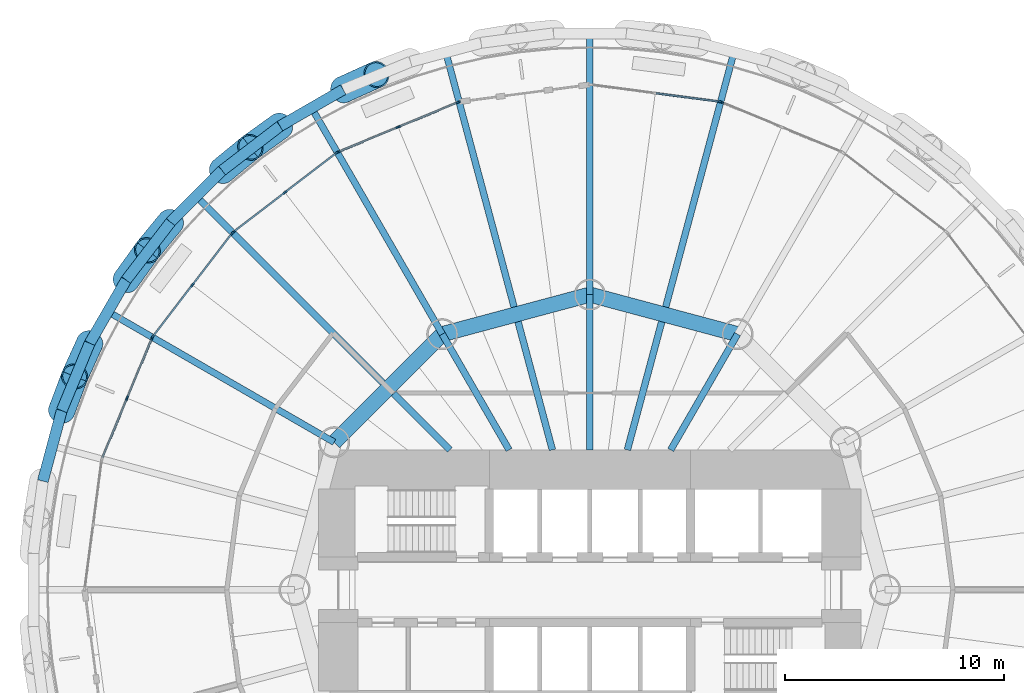
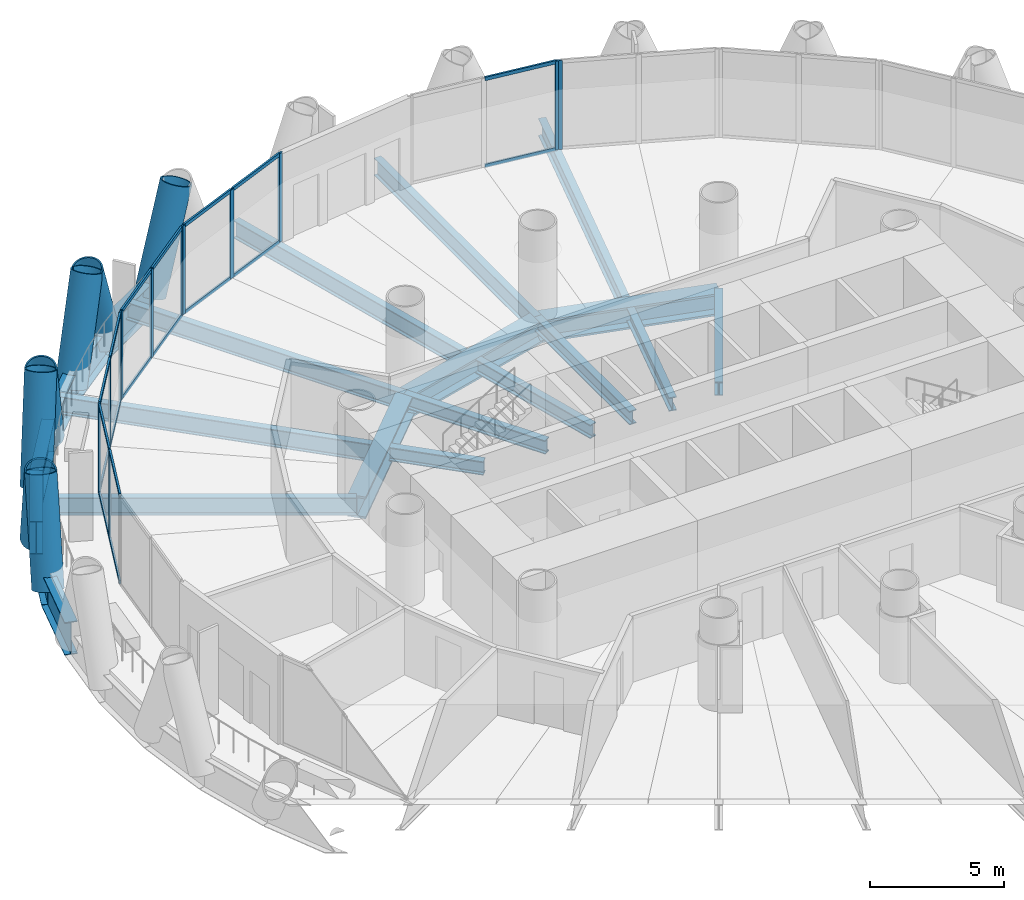
# One storey, part 6 of 16: 38 members, 22 beams, 6 elements without a shape of their own.
"""IFC4 building model written with IfcOpenShell, lengths in metres."""

from ifc_helpers import new_model, si_unit, direction, frame, origin, origin_2d, place, context, subcontext, project, spatial, rectangle, hollow_circle, i_section, extrude, material, material_profile, profile_set, type_object, element, aggregate, save


model = new_model("IFC4")

# Units and contexts
model_context = context("Model", 3, precision=1e-05, world=origin(), true_north=direction((0.0, 1.0)))
body_context = subcontext(model_context, "Body", "Model", "MODEL_VIEW")
ifc_project = project(units=[si_unit("LENGTHUNIT", "METRE"), si_unit("AREAUNIT", "SQUARE_METRE"), si_unit("VOLUMEUNIT", "CUBIC_METRE"), si_unit("PLANEANGLEUNIT", "RADIAN"), si_unit("MASSUNIT", "GRAM", prefix="KILO")], contexts=[model_context])

# Site, building, storey
site_placement = place(None, origin())
site = spatial("IfcSite", under=ifc_project, at=site_placement, CompositionType="ELEMENT")
building_placement = place(site_placement, origin())
building = spatial("IfcBuilding", under=site, at=building_placement, Name="Qaws Media Tower", CompositionType="ELEMENT")
storey_placement = place(building_placement, frame((0.0, 0.0, 80.60009765625)))
storey = spatial("IfcBuildingStorey", under=building, at=storey_placement, Name="L17", CompositionType="ELEMENT", Elevation=80.60009765625)

# Curtain wall, member
ifc_material_1 = material(Name="Aluminium and clear glass", Category="aluminium")
curtain_wall_type = type_object("IfcCurtainWallType", Name="Unitised curtain wall CW-A", PredefinedType="NOTDEFINED", material=ifc_material_1)
curtain_wall_1_placement = place(storey_placement, origin())
curtain_wall_1 = element("IfcCurtainWall", 1, at=curtain_wall_1_placement, inside=storey, type_object=curtain_wall_type, Name="CWA curtain wall L17-05", PredefinedType="NOTDEFINED")
ifc_material_2 = material(Name="Aluminium mullion", Category="aluminium")
ifc_material_profile_1 = material_profile(ifc_material_2, rectangle(XDim=0.080078125, YDim=0.199951171875, at=origin_2d()), Name="80x200")
ifc_profile_set_1 = profile_set([ifc_material_profile_1], Name="Aluminium mullion")
member_type_1 = type_object("IfcMemberType", Name="Curtain wall mullion 80x200", PredefinedType="MULLION", material=ifc_profile_set_1)
member_1_placement = place(storey_placement, frame((66.015625, 72.297607421875, 0.0), z_axis=(0.0, 0.0, 1.0), x_axis=(-0.382683469758, -0.923879517022, 0.0)))
member_1 = element("IfcMember", 2, at=member_1_placement, type_object=member_type_1, Name="CWA mullion 3", PredefinedType="MULLION", context=body_context, shape_type="SweptSolid", body=[
    extrude(rectangle(XDim=0.080078125, YDim=0.199951171875, at=origin_2d()), origin(), (0.0, 0.0, 1.0), 4.039794921875),
])
aggregate(curtain_wall_1, [member_1])

curtain_wall_2_placement = place(storey_placement, origin())
curtain_wall_2 = element("IfcCurtainWall", 3, at=curtain_wall_2_placement, inside=storey, type_object=curtain_wall_type, Name="CWA curtain wall L17-06", PredefinedType="NOTDEFINED")
member_2_placement = place(storey_placement, frame((65.93896484375, 72.318115234375, 0.0), z_axis=(0.0, 0.0, 1.0), x_axis=(-0.130526123696, -0.991444870395, 0.0)))
member_2 = element("IfcMember", 4, at=member_2_placement, type_object=member_type_1, Name="CWA mullion 1", PredefinedType="MULLION", context=body_context, shape_type="SweptSolid", body=[
    extrude(rectangle(XDim=0.080078125, YDim=0.199951171875, at=origin_2d()), origin(), (0.0, 0.0, 1.0), 4.039794921875),
])

# Curtain wall, members
curtain_wall_3_placement = place(storey_placement, origin())
curtain_wall_3 = element("IfcCurtainWall", 5, at=curtain_wall_3_placement, inside=storey, type_object=curtain_wall_type, Name="CWA curtain wall L17-08", PredefinedType="NOTDEFINED")
member_3_placement = place(storey_placement, frame((53.984375, 72.297607421875, 0.0), z_axis=(0.0, 0.0, 1.0), x_axis=(0.382683469758, -0.923879517022, 0.0)))
member_3 = element("IfcMember", 6, at=member_3_placement, type_object=member_type_1, Name="CWA mullion 1", PredefinedType="MULLION", context=body_context, shape_type="SweptSolid", body=[
    extrude(rectangle(XDim=0.080078125, YDim=0.199951171875, at=origin_2d()), origin(), (0.0, 0.0, 1.0), 4.039794921875),
])
member_4_placement = place(storey_placement, frame((51.235595703125, 71.158935546875, 0.0), z_axis=(0.0, 0.0, 1.0), x_axis=(0.382683469758, -0.923879517022, 0.0)))
member_4 = element("IfcMember", 7, at=member_4_placement, type_object=member_type_1, Name="CWA mullion 2", PredefinedType="MULLION", context=body_context, shape_type="SweptSolid", body=[
    extrude(rectangle(XDim=0.080078125, YDim=0.199951171875, at=origin_2d()), origin(), (0.0, 0.0, 1.0), 4.039794921875),
])
member_5_placement = place(storey_placement, frame((48.487060546875, 70.0205078125, 0.0), z_axis=(0.0, 0.0, 1.0), x_axis=(0.382683469758, -0.923879517022, 0.0)))
member_5 = element("IfcMember", 8, at=member_5_placement, type_object=member_type_1, Name="CWA mullion 3", PredefinedType="MULLION", context=body_context, shape_type="SweptSolid", body=[
    extrude(rectangle(XDim=0.080078125, YDim=0.199951171875, at=origin_2d()), origin(), (0.0, 0.0, 1.0), 4.039794921875),
])

curtain_wall_4_placement = place(storey_placement, origin())
curtain_wall_4 = element("IfcCurtainWall", 9, at=curtain_wall_4_placement, inside=storey, type_object=curtain_wall_type, Name="CWA curtain wall L17-09", PredefinedType="NOTDEFINED")
member_6_placement = place(storey_placement, frame((48.418212890625, 69.98095703125, 0.0), z_axis=(0.0, 0.0, 1.0), x_axis=(0.608761381612, -0.79335337666, 0.0)))
member_6 = element("IfcMember", 10, at=member_6_placement, type_object=member_type_1, Name="CWA mullion 1", PredefinedType="MULLION", context=body_context, shape_type="SweptSolid", body=[
    extrude(rectangle(XDim=0.080078125, YDim=0.199951171875, at=origin_2d()), origin(), (0.0, 0.0, 1.0), 4.039794921875),
])
member_7_placement = place(storey_placement, frame((46.057861328125, 68.169677734375, 0.0), z_axis=(0.0, 0.0, 1.0), x_axis=(0.608761381612, -0.79335337666, 0.0)))
member_7 = element("IfcMember", 11, at=member_7_placement, type_object=member_type_1, Name="CWA mullion 2", PredefinedType="MULLION", context=body_context, shape_type="SweptSolid", body=[
    extrude(rectangle(XDim=0.080078125, YDim=0.199951171875, at=origin_2d()), origin(), (0.0, 0.0, 1.0), 4.039794921875),
])
member_8_placement = place(storey_placement, frame((43.697509765625, 66.3583984375, 0.0), z_axis=(0.0, 0.0, 1.0), x_axis=(0.608761381612, -0.79335337666, 0.0)))
member_8 = element("IfcMember", 12, at=member_8_placement, type_object=member_type_1, Name="CWA mullion 3", PredefinedType="MULLION", context=body_context, shape_type="SweptSolid", body=[
    extrude(rectangle(XDim=0.080078125, YDim=0.199951171875, at=origin_2d()), origin(), (0.0, 0.0, 1.0), 4.039794921875),
])

curtain_wall_5_placement = place(storey_placement, origin())
curtain_wall_5 = element("IfcCurtainWall", 13, at=curtain_wall_5_placement, inside=storey, type_object=curtain_wall_type, Name="CWA curtain wall L17-10", PredefinedType="NOTDEFINED")
member_9_placement = place(storey_placement, frame((43.6416015625, 66.302490234375, 0.0), z_axis=(0.0, 0.0, 1.0), x_axis=(0.79335337666, -0.608761381612, 0.0)))
member_9 = element("IfcMember", 14, at=member_9_placement, type_object=member_type_1, Name="CWA mullion 1", PredefinedType="MULLION", context=body_context, shape_type="SweptSolid", body=[
    extrude(rectangle(XDim=0.080078125, YDim=0.199951171875, at=origin_2d()), origin(), (0.0, 0.0, 1.0), 4.039794921875),
])
member_10_placement = place(storey_placement, frame((41.830322265625, 63.942138671875, 0.0), z_axis=(0.0, 0.0, 1.0), x_axis=(0.79335337666, -0.608761381612, 0.0)))
member_10 = element("IfcMember", 15, at=member_10_placement, type_object=member_type_1, Name="CWA mullion 2", PredefinedType="MULLION", context=body_context, shape_type="SweptSolid", body=[
    extrude(rectangle(XDim=0.080078125, YDim=0.199951171875, at=origin_2d()), origin(), (0.0, 0.0, 1.0), 4.039794921875),
])
member_11_placement = place(storey_placement, frame((40.01904296875, 61.581787109375, 0.0), z_axis=(0.0, 0.0, 1.0), x_axis=(0.79335337666, -0.608761381612, 0.0)))
member_11 = element("IfcMember", 16, at=member_11_placement, type_object=member_type_1, Name="CWA mullion 3", PredefinedType="MULLION", context=body_context, shape_type="SweptSolid", body=[
    extrude(rectangle(XDim=0.080078125, YDim=0.199951171875, at=origin_2d()), origin(), (0.0, 0.0, 1.0), 4.039794921875),
])

curtain_wall_6_placement = place(storey_placement, origin())
curtain_wall_6 = element("IfcCurtainWall", 17, at=curtain_wall_6_placement, inside=storey, type_object=curtain_wall_type, Name="CWA curtain wall L17-11", PredefinedType="NOTDEFINED")
member_12_placement = place(storey_placement, frame((39.9794921875, 61.512939453125, 0.0), z_axis=(0.0, 0.0, 1.0), x_axis=(0.923879517022, -0.382683469758, 0.0)))
member_12 = element("IfcMember", 18, at=member_12_placement, type_object=member_type_1, Name="CWA mullion 1", PredefinedType="MULLION", context=body_context, shape_type="SweptSolid", body=[
    extrude(rectangle(XDim=0.080078125, YDim=0.199951171875, at=origin_2d()), origin(), (0.0, 0.0, 1.0), 4.039794921875),
])
member_13_placement = place(storey_placement, frame((38.841064453125, 58.764404296875, 0.0), z_axis=(0.0, 0.0, 1.0), x_axis=(0.923879517022, -0.382683469758, 0.0)))
member_13 = element("IfcMember", 19, at=member_13_placement, type_object=member_type_1, Name="CWA mullion 2", PredefinedType="MULLION", context=body_context, shape_type="SweptSolid", body=[
    extrude(rectangle(XDim=0.080078125, YDim=0.199951171875, at=origin_2d()), origin(), (0.0, 0.0, 1.0), 4.039794921875),
])

# Member
ifc_material_3 = material(Name="Aluminium transom", Category="aluminium")
ifc_material_profile_2 = material_profile(ifc_material_3, rectangle(XDim=0.080078125, YDim=0.159912109375, at=origin_2d()), Name="80x160")
ifc_profile_set_2 = profile_set([ifc_material_profile_2], Name="Aluminium transom")
member_type_2 = type_object("IfcMemberType", Name="Curtain wall transom 80x160", PredefinedType="USERDEFINED", material=ifc_profile_set_2)
member_14_placement = place(storey_placement, frame((65.8994140625, 72.3232421875, 0.039794921875), z_axis=(-0.991443097924, 0.130539586254, 0.0), x_axis=(-0.130539586254, -0.991443097924, 0.0)))
member_14 = element("IfcMember", 20, at=member_14_placement, type_object=member_type_2, Name="CWA transom 1.1", ObjectType="TRANSOM", PredefinedType="USERDEFINED", context=body_context, shape_type="SweptSolid", body=[
    extrude(rectangle(XDim=0.080078125, YDim=0.159912109375, at=origin_2d()), origin(), (0.0, 0.0, 1.0), 2.89501953125),
])

member_15_placement = place(storey_placement, frame((65.8994140625, 72.3232421875, 4.0), z_axis=(-0.991443097924, 0.130539586254, 0.0), x_axis=(-0.130539586254, -0.991443097924, 0.0)))
member_15 = element("IfcMember", 21, at=member_15_placement, type_object=member_type_2, Name="CWA transom 1.2", ObjectType="TRANSOM", PredefinedType="USERDEFINED", context=body_context, shape_type="SweptSolid", body=[
    extrude(rectangle(XDim=0.080078125, YDim=0.159912109375, at=origin_2d()), origin(), (0.0, 0.0, 1.0), 2.89501953125),
])

aggregate(curtain_wall_2, [member_2, member_14, member_15])

member_16_placement = place(storey_placement, frame((53.947265625, 72.2822265625, 0.039794921875), z_axis=(-0.923870872897, -0.382704337855, 0.0), x_axis=(0.382704337855, -0.923870872897, 0.0)))
member_16 = element("IfcMember", 22, at=member_16_placement, type_object=member_type_2, Name="CWA transom 1.1", ObjectType="TRANSOM", PredefinedType="USERDEFINED", context=body_context, shape_type="SweptSolid", body=[
    extrude(rectangle(XDim=0.080078125, YDim=0.159912109375, at=origin_2d()), origin(), (0.0, 0.0, 1.0), 2.89501953125),
])

member_17_placement = place(storey_placement, frame((53.947265625, 72.2822265625, 4.0), z_axis=(-0.923870872897, -0.382704337855, 0.0), x_axis=(0.382704337855, -0.923870872897, 0.0)))
member_17 = element("IfcMember", 23, at=member_17_placement, type_object=member_type_2, Name="CWA transom 1.2", ObjectType="TRANSOM", PredefinedType="USERDEFINED", context=body_context, shape_type="SweptSolid", body=[
    extrude(rectangle(XDim=0.080078125, YDim=0.159912109375, at=origin_2d()), origin(), (0.0, 0.0, 1.0), 2.89501953125),
])

member_18_placement = place(storey_placement, frame((51.19873046875, 71.143798828125, 0.039794921875), z_axis=(-0.923883223123, -0.382674522319, 0.0), x_axis=(0.382674522319, -0.923883223123, 0.0)))
member_18 = element("IfcMember", 24, at=member_18_placement, type_object=member_type_2, Name="CWA transom 2.1", ObjectType="TRANSOM", PredefinedType="USERDEFINED", context=body_context, shape_type="SweptSolid", body=[
    extrude(rectangle(XDim=0.080078125, YDim=0.159912109375, at=origin_2d()), origin(), (0.0, 0.0, 1.0), 2.895263671875),
])

member_19_placement = place(storey_placement, frame((51.19873046875, 71.143798828125, 4.0), z_axis=(-0.923883223123, -0.382674522319, 0.0), x_axis=(0.382674522319, -0.923883223123, 0.0)))
member_19 = element("IfcMember", 25, at=member_19_placement, type_object=member_type_2, Name="CWA transom 2.2", ObjectType="TRANSOM", PredefinedType="USERDEFINED", context=body_context, shape_type="SweptSolid", body=[
    extrude(rectangle(XDim=0.080078125, YDim=0.159912109375, at=origin_2d()), origin(), (0.0, 0.0, 1.0), 2.895263671875),
])

aggregate(curtain_wall_3, [member_3, member_4, member_5, member_16, member_17, member_18, member_19])

member_20_placement = place(storey_placement, frame((48.386474609375, 69.95654296875, 0.039794921875), z_axis=(-0.793353841353, -0.608760776012, 0.0), x_axis=(0.608760776012, -0.793353841353, 0.0)))
member_20 = element("IfcMember", 26, at=member_20_placement, type_object=member_type_2, Name="CWA transom 1.1", ObjectType="TRANSOM", PredefinedType="USERDEFINED", context=body_context, shape_type="SweptSolid", body=[
    extrude(rectangle(XDim=0.080078125, YDim=0.159912109375, at=origin_2d()), origin(), (0.0, 0.0, 1.0), 2.895263671875),
])

member_21_placement = place(storey_placement, frame((48.386474609375, 69.95654296875, 4.0), z_axis=(-0.793353841353, -0.608760776012, 0.0), x_axis=(0.608760776012, -0.793353841353, 0.0)))
member_21 = element("IfcMember", 27, at=member_21_placement, type_object=member_type_2, Name="CWA transom 1.2", ObjectType="TRANSOM", PredefinedType="USERDEFINED", context=body_context, shape_type="SweptSolid", body=[
    extrude(rectangle(XDim=0.080078125, YDim=0.159912109375, at=origin_2d()), origin(), (0.0, 0.0, 1.0), 2.895263671875),
])

member_22_placement = place(storey_placement, frame((46.026123046875, 68.145263671875, 0.039794921875), z_axis=(-0.793353841353, -0.608760776012, 0.0), x_axis=(0.608760776012, -0.793353841353, 0.0)))
member_22 = element("IfcMember", 28, at=member_22_placement, type_object=member_type_2, Name="CWA transom 2.1", ObjectType="TRANSOM", PredefinedType="USERDEFINED", context=body_context, shape_type="SweptSolid", body=[
    extrude(rectangle(XDim=0.080078125, YDim=0.159912109375, at=origin_2d()), origin(), (0.0, 0.0, 1.0), 2.895263671875),
])

member_23_placement = place(storey_placement, frame((46.026123046875, 68.145263671875, 4.0), z_axis=(-0.793353841353, -0.608760776012, 0.0), x_axis=(0.608760776012, -0.793353841353, 0.0)))
member_23 = element("IfcMember", 29, at=member_23_placement, type_object=member_type_2, Name="CWA transom 2.2", ObjectType="TRANSOM", PredefinedType="USERDEFINED", context=body_context, shape_type="SweptSolid", body=[
    extrude(rectangle(XDim=0.080078125, YDim=0.159912109375, at=origin_2d()), origin(), (0.0, 0.0, 1.0), 2.895263671875),
])

aggregate(curtain_wall_4, [member_6, member_7, member_8, member_20, member_21, member_22, member_23])

member_24_placement = place(storey_placement, frame((43.6171875, 66.270751953125, 0.039794921875), z_axis=(-0.608760776012, -0.793353841353, 0.0), x_axis=(0.793353841353, -0.608760776012, 0.0)))
member_24 = element("IfcMember", 30, at=member_24_placement, type_object=member_type_2, Name="CWA transom 1.1", ObjectType="TRANSOM", PredefinedType="USERDEFINED", context=body_context, shape_type="SweptSolid", body=[
    extrude(rectangle(XDim=0.080078125, YDim=0.159912109375, at=origin_2d()), origin(), (0.0, 0.0, 1.0), 2.895263671875),
])

member_25_placement = place(storey_placement, frame((43.6171875, 66.270751953125, 4.0), z_axis=(-0.608760776012, -0.793353841353, 0.0), x_axis=(0.793353841353, -0.608760776012, 0.0)))
member_25 = element("IfcMember", 31, at=member_25_placement, type_object=member_type_2, Name="CWA transom 1.2", ObjectType="TRANSOM", PredefinedType="USERDEFINED", context=body_context, shape_type="SweptSolid", body=[
    extrude(rectangle(XDim=0.080078125, YDim=0.159912109375, at=origin_2d()), origin(), (0.0, 0.0, 1.0), 2.895263671875),
])

member_26_placement = place(storey_placement, frame((41.805908203125, 63.910400390625, 0.039794921875), z_axis=(-0.608760776012, -0.793353841353, 0.0), x_axis=(0.793353841353, -0.608760776012, 0.0)))
member_26 = element("IfcMember", 32, at=member_26_placement, type_object=member_type_2, Name="CWA transom 2.1", ObjectType="TRANSOM", PredefinedType="USERDEFINED", context=body_context, shape_type="SweptSolid", body=[
    extrude(rectangle(XDim=0.080078125, YDim=0.159912109375, at=origin_2d()), origin(), (0.0, 0.0, 1.0), 2.895263671875),
])

member_27_placement = place(storey_placement, frame((41.805908203125, 63.910400390625, 4.0), z_axis=(-0.608760776012, -0.793353841353, 0.0), x_axis=(0.793353841353, -0.608760776012, 0.0)))
member_27 = element("IfcMember", 33, at=member_27_placement, type_object=member_type_2, Name="CWA transom 2.2", ObjectType="TRANSOM", PredefinedType="USERDEFINED", context=body_context, shape_type="SweptSolid", body=[
    extrude(rectangle(XDim=0.080078125, YDim=0.159912109375, at=origin_2d()), origin(), (0.0, 0.0, 1.0), 2.895263671875),
])

aggregate(curtain_wall_5, [member_9, member_10, member_11, member_24, member_25, member_26, member_27])

member_28_placement = place(storey_placement, frame((39.964111328125, 61.47607421875, 0.039794921875), z_axis=(-0.382674522319, -0.923883223123, 0.0), x_axis=(0.923883223123, -0.382674522319, 0.0)))
member_28 = element("IfcMember", 34, at=member_28_placement, type_object=member_type_2, Name="CWA transom 1.1", ObjectType="TRANSOM", PredefinedType="USERDEFINED", context=body_context, shape_type="SweptSolid", body=[
    extrude(rectangle(XDim=0.080078125, YDim=0.159912109375, at=origin_2d()), origin(), (0.0, 0.0, 1.0), 2.895263671875),
])

member_29_placement = place(storey_placement, frame((39.964111328125, 61.47607421875, 4.0), z_axis=(-0.382674522319, -0.923883223123, 0.0), x_axis=(0.923883223123, -0.382674522319, 0.0)))
member_29 = element("IfcMember", 35, at=member_29_placement, type_object=member_type_2, Name="CWA transom 1.2", ObjectType="TRANSOM", PredefinedType="USERDEFINED", context=body_context, shape_type="SweptSolid", body=[
    extrude(rectangle(XDim=0.080078125, YDim=0.159912109375, at=origin_2d()), origin(), (0.0, 0.0, 1.0), 2.895263671875),
])

member_30_placement = place(storey_placement, frame((38.82568359375, 58.727294921875, 0.039794921875), z_axis=(-0.382704337855, -0.923870872897, 0.0), x_axis=(0.923870872897, -0.382704337855, 0.0)))
member_30 = element("IfcMember", 36, at=member_30_placement, type_object=member_type_2, Name="CWA transom 2.1", ObjectType="TRANSOM", PredefinedType="USERDEFINED", context=body_context, shape_type="SweptSolid", body=[
    extrude(rectangle(XDim=0.080078125, YDim=0.159912109375, at=origin_2d()), origin(), (0.0, 0.0, 1.0), 2.89501953125),
])

member_31_placement = place(storey_placement, frame((38.82568359375, 58.727294921875, 4.0), z_axis=(-0.382704337855, -0.923870872897, 0.0), x_axis=(0.923870872897, -0.382704337855, 0.0)))
member_31 = element("IfcMember", 37, at=member_31_placement, type_object=member_type_2, Name="CWA transom 2.2", ObjectType="TRANSOM", PredefinedType="USERDEFINED", context=body_context, shape_type="SweptSolid", body=[
    extrude(rectangle(XDim=0.080078125, YDim=0.159912109375, at=origin_2d()), origin(), (0.0, 0.0, 1.0), 2.89501953125),
])

aggregate(curtain_wall_6, [member_12, member_13, member_28, member_29, member_30, member_31])

# Members
ifc_material_4 = material(Name="Steel S460", Category="steel")
ifc_material_profile_3 = material_profile(ifc_material_4, hollow_circle(Radius=0.609619140625, WallThickness=0.06005859375, at=origin_2d()), Name="CHS 1219x60")
ifc_profile_set_3 = profile_set([ifc_material_profile_3], Name="Steel S460")
member_type_3 = type_object("IfcMemberType", Name="Diagrid member CHS 1219x60", PredefinedType="USERDEFINED", material=ifc_profile_set_3)
for number, where, z_axis, x_axis, name in (
    (38, (45.8330078125, 71.202392578125, -0.91015625), (-0.300144289115, -0.215060189879, 0.92933445026), (0.582441610949, -0.812872542183, 0.0), "DG1 diagrid L17 A09"),
    (39, (48.7216796875, 72.870361328125, -0.91015625), (0.336291874755, 0.152344270974, 0.92935407573), (-0.412645014816, 0.910891921003, 0.0), "DG1 diagrid L17 B09"),
    (40, (40.828125, 66.813232421875, -0.91015625), (-0.234240101524, -0.285399090487, 0.929343281025), (0.772985056238, -0.634424229386, 0.0), "DG1 diagrid L17 A10"),
    (41, (43.186767578125, 69.171875, -0.91015625), (0.285399090487, 0.234240101524, 0.929343281025), (-0.634424229386, 0.772985056238, 0.0), "DG1 diagrid L17 B10"),
    (42, (37.129638671875, 61.2783203125, -0.91015625), (-0.152344270974, -0.336291874755, 0.92935407573), (0.910891921003, -0.412645014816, 0.0), "DG1 diagrid L17 A11"),
    (43, (38.797607421875, 64.1669921875, -0.91015625), (0.215060189879, 0.300144289115, 0.92933445026), (-0.812872542183, 0.582441610949, 0.0), "DG1 diagrid L17 B11"),
    (44, (35.853271484375, 58.19677734375, -0.91015625), (0.130083644983, 0.345575198072, 0.929330957079), (-0.935889542104, 0.352293577831, 0.0), "DG1 diagrid L17 B12"),
):
    element("IfcMember", number, at=place(storey_placement, frame(where, z_axis=z_axis, x_axis=x_axis)), inside=storey, type_object=member_type_3, Name=name, ObjectType="DIAGRID", PredefinedType="USERDEFINED", context=body_context, shape_type="SweptSolid", body=[
        extrude(hollow_circle(Radius=0.609619140625, WallThickness=0.06005859375, at=origin_2d()), origin(), (0.0, 0.0, 1.0), 4.519287109375),
    ])

# Beams
ifc_material_5 = material(Name="Steel S460", Category="steel")
ifc_material_profile_4 = material_profile(ifc_material_5, i_section(OverallWidth=0.5, OverallDepth=1.5, WebThickness=0.02001953125, FlangeThickness=0.0400390625, at=origin_2d()), Name="PG 1500x500")
ifc_profile_set_4 = profile_set([ifc_material_profile_4], Name="Steel S460")
beam_type_1 = type_object("IfcBeamType", Name="Edge ring beam PG 1500x500", PredefinedType="BEAM", material=ifc_profile_set_4)
beam_1_placement = place(storey_placement, frame((48.7216796875, 72.870361328125, -0.91015625), z_axis=(-0.866000314205, -0.500043453909, 0.0), x_axis=(0.500043453909, -0.866000314205, 0.0)))
element("IfcBeam", 45, at=beam_1_placement, inside=storey, type_object=beam_type_1, Name="RB4 edge ring beam L17-16", PredefinedType="BEAM", context=body_context, shape_type="SweptSolid", body=[
    extrude(i_section(OverallWidth=0.5, OverallDepth=1.5, WebThickness=0.02001953125, FlangeThickness=0.0400390625, at=origin_2d()), origin(), (0.0, 0.0, 1.0), 3.335693359375),
])
beam_2_placement = place(storey_placement, frame((45.8330078125, 71.202392578125, -0.91015625), z_axis=(-0.793355363123, -0.608758792794, 0.0), x_axis=(0.608758792794, -0.793355363123, 0.0)))
element("IfcBeam", 46, at=beam_2_placement, inside=storey, type_object=beam_type_1, Name="RB4 edge ring beam L17-17", PredefinedType="BEAM", context=body_context, shape_type="SweptSolid", body=[
    extrude(i_section(OverallWidth=0.5, OverallDepth=1.5, WebThickness=0.02001953125, FlangeThickness=0.0400390625, at=origin_2d()), origin(), (0.0, 0.0, 1.0), 3.33544921875),
])
beam_3_placement = place(storey_placement, frame((43.186767578125, 69.171875, -0.91015625), z_axis=(-0.707106781187, -0.707106781187, 0.0), x_axis=(0.707106781187, -0.707106781187, 0.0)))
element("IfcBeam", 47, at=beam_3_placement, inside=storey, type_object=beam_type_1, Name="RB4 edge ring beam L17-18", PredefinedType="BEAM", context=body_context, shape_type="SweptSolid", body=[
    extrude(i_section(OverallWidth=0.5, OverallDepth=1.5, WebThickness=0.02001953125, FlangeThickness=0.0400390625, at=origin_2d()), origin(), (0.0, 0.0, 1.0), 3.335693359375),
])
beam_4_placement = place(storey_placement, frame((40.828125, 66.813232421875, -0.91015625), z_axis=(-0.608758792794, -0.793355363123, 0.0), x_axis=(0.793355363123, -0.608758792794, 0.0)))
element("IfcBeam", 48, at=beam_4_placement, inside=storey, type_object=beam_type_1, Name="RB4 edge ring beam L17-19", PredefinedType="BEAM", context=body_context, shape_type="SweptSolid", body=[
    extrude(i_section(OverallWidth=0.5, OverallDepth=1.5, WebThickness=0.02001953125, FlangeThickness=0.0400390625, at=origin_2d()), origin(), (0.0, 0.0, 1.0), 3.33544921875),
])
beam_5_placement = place(storey_placement, frame((38.797607421875, 64.1669921875, -0.91015625), z_axis=(-0.500043453909, -0.866000314205, 0.0), x_axis=(0.866000314205, -0.500043453909, 0.0)))
element("IfcBeam", 49, at=beam_5_placement, inside=storey, type_object=beam_type_1, Name="RB4 edge ring beam L17-20", PredefinedType="BEAM", context=body_context, shape_type="SweptSolid", body=[
    extrude(i_section(OverallWidth=0.5, OverallDepth=1.5, WebThickness=0.02001953125, FlangeThickness=0.0400390625, at=origin_2d()), origin(), (0.0, 0.0, 1.0), 3.335693359375),
])
beam_6_placement = place(storey_placement, frame((37.129638671875, 61.2783203125, -0.91015625), z_axis=(-0.382670712989, -0.923884800947, 0.0), x_axis=(0.923884800947, -0.382670712989, 0.0)))
element("IfcBeam", 50, at=beam_6_placement, inside=storey, type_object=beam_type_1, Name="RB4 edge ring beam L17-21", PredefinedType="BEAM", context=body_context, shape_type="SweptSolid", body=[
    extrude(i_section(OverallWidth=0.5, OverallDepth=1.5, WebThickness=0.02001953125, FlangeThickness=0.0400390625, at=origin_2d()), origin(), (0.0, 0.0, 1.0), 3.33544921875),
])
beam_7_placement = place(storey_placement, frame((35.853271484375, 58.19677734375, -0.91015625), z_axis=(-0.258810475208, -0.965928122545, 0.0), x_axis=(0.965928122545, -0.258810475208, 0.0)))
element("IfcBeam", 51, at=beam_7_placement, inside=storey, type_object=beam_type_1, Name="RB4 edge ring beam L17-22", PredefinedType="BEAM", context=body_context, shape_type="SweptSolid", body=[
    extrude(i_section(OverallWidth=0.5, OverallDepth=1.5, WebThickness=0.02001953125, FlangeThickness=0.0400390625, at=origin_2d()), origin(), (0.0, 0.0, 1.0), 3.335693359375),
])
ifc_material_6 = material(Name="Steel S460", Category="steel")
ifc_material_profile_5 = material_profile(ifc_material_6, i_section(OverallWidth=0.699951171875, OverallDepth=1.0, WebThickness=0.034912109375, FlangeThickness=0.090087890625, at=origin_2d()), Name="PG 1000x700")
ifc_profile_set_5 = profile_set([ifc_material_profile_5], Name="Steel S460")
beam_type_2 = type_object("IfcBeamType", Name="Inner ring girder PG 1000x700", PredefinedType="BEAM", material=ifc_profile_set_5)
for number, where, z_axis, x_axis, name in (
    (52, (66.75, 61.69140625, -0.66015625), (-0.965928090778, 0.258810593767, 0.0), (-0.258810593767, -0.965928090778, 0.0), "B3 inner ring beam L17 I03-I04"),
    (53, (60.0, 63.5, -0.66015625), (-0.965928090778, -0.258810593767, 0.0), (0.258810593767, -0.965928090778, 0.0), "B3 inner ring beam L17 I04-I05"),
):
    element("IfcBeam", number, at=place(storey_placement, frame(where, z_axis=z_axis, x_axis=x_axis)), inside=storey, type_object=beam_type_2, Name=name, PredefinedType="BEAM", context=body_context, shape_type="SweptSolid", body=[
        extrude(i_section(OverallWidth=0.699951171875, OverallDepth=1.0, WebThickness=0.034912109375, FlangeThickness=0.090087890625, at=origin_2d()), origin(), (0.0, 0.0, 1.0), 6.988037109375),
    ])
beam_8_placement = place(storey_placement, frame((53.25, 61.69140625, -0.66015625), z_axis=(-0.707106781187, -0.707106781187, 0.0), x_axis=(0.707106781187, -0.707106781187, 0.0)))
element("IfcBeam", 54, at=beam_8_placement, inside=storey, type_object=beam_type_2, Name="B3 inner ring beam L17 I05-I06", PredefinedType="BEAM", context=body_context, shape_type="SweptSolid", body=[
    extrude(i_section(OverallWidth=0.699951171875, OverallDepth=1.0, WebThickness=0.034912109375, FlangeThickness=0.090087890625, at=origin_2d()), origin(), (0.0, 0.0, 1.0), 6.98828125),
])
ifc_material_7 = material(Name="Steel S355", Category="steel")
ifc_material_profile_6 = material_profile(ifc_material_7, i_section(OverallWidth=0.304931640625, OverallDepth=0.6201171875, WebThickness=0.02099609375, FlangeThickness=0.0400390625, FilletRadius=0.027099609375, at=origin_2d()), Name="HE 600 M")
ifc_profile_set_6 = profile_set([ifc_material_profile_6], Name="Steel S355")
beam_type_3 = type_object("IfcBeamType", Name="Radial beam HE 600 M, core side", PredefinedType="BEAM", material=ifc_profile_set_6)
beam_9_placement = place(storey_placement, frame((63.695068359375, 56.39990234375, -0.47021484375), z_axis=(0.49998532359, 0.866033877048, 0.0), x_axis=(-0.866033877048, 0.49998532359, 0.0)))
element("IfcBeam", 55, at=beam_9_placement, inside=storey, type_object=beam_type_3, Name="B2 radial beam L17 05", PredefinedType="BEAM", context=body_context, shape_type="SweptSolid", body=[
    extrude(i_section(OverallWidth=0.304931640625, OverallDepth=0.6201171875, WebThickness=0.02099609375, FlangeThickness=0.0400390625, FilletRadius=0.027099609375, at=origin_2d()), origin(), (0.0, 0.0, 1.0), 6.110107421875),
])
beam_10_placement = place(storey_placement, frame((61.71484375, 56.39990234375, -0.47021484375), z_axis=(0.258822614448, 0.965924869879, 0.0), x_axis=(-0.965924869879, 0.258822614448, 0.0)))
element("IfcBeam", 56, at=beam_10_placement, inside=storey, type_object=beam_type_3, Name="B2 radial beam L17 06", PredefinedType="BEAM", context=body_context, shape_type="SweptSolid", body=[
    extrude(i_section(OverallWidth=0.304931640625, OverallDepth=0.6201171875, WebThickness=0.02099609375, FlangeThickness=0.0400390625, FilletRadius=0.027099609375, at=origin_2d()), origin(), (0.0, 0.0, 1.0), 6.064208984375),
])
beam_11_placement = place(storey_placement, frame((60.0, 56.39990234375, -0.47021484375), z_axis=(0.0, 1.0, 0.0), x_axis=(-1.0, 0.0, 0.0)))
element("IfcBeam", 57, at=beam_11_placement, inside=storey, type_object=beam_type_3, Name="B2 radial beam L17 07", PredefinedType="BEAM", context=body_context, shape_type="SweptSolid", body=[
    extrude(i_section(OverallWidth=0.304931640625, OverallDepth=0.6201171875, WebThickness=0.02099609375, FlangeThickness=0.0400390625, FilletRadius=0.027099609375, at=origin_2d()), origin(), (0.0, 0.0, 1.0), 7.10009765625),
])
beam_12_placement = place(storey_placement, frame((58.28515625, 56.39990234375, -0.47021484375), z_axis=(-0.258822614448, 0.965924869879, 0.0), x_axis=(-0.965924869879, -0.258822614448, 0.0)))
element("IfcBeam", 58, at=beam_12_placement, inside=storey, type_object=beam_type_3, Name="B2 radial beam L17 08", PredefinedType="BEAM", context=body_context, shape_type="SweptSolid", body=[
    extrude(i_section(OverallWidth=0.304931640625, OverallDepth=0.6201171875, WebThickness=0.02099609375, FlangeThickness=0.0400390625, FilletRadius=0.027099609375, at=origin_2d()), origin(), (0.0, 0.0, 1.0), 6.064208984375),
])
beam_13_placement = place(storey_placement, frame((56.304931640625, 56.39990234375, -0.47021484375), z_axis=(-0.49998532359, 0.866033877048, 0.0), x_axis=(-0.866033877048, -0.49998532359, 0.0)))
element("IfcBeam", 59, at=beam_13_placement, inside=storey, type_object=beam_type_3, Name="B2 radial beam L17 09", PredefinedType="BEAM", context=body_context, shape_type="SweptSolid", body=[
    extrude(i_section(OverallWidth=0.304931640625, OverallDepth=0.6201171875, WebThickness=0.02099609375, FlangeThickness=0.0400390625, FilletRadius=0.027099609375, at=origin_2d()), origin(), (0.0, 0.0, 1.0), 6.110107421875),
])
beam_14_placement = place(storey_placement, frame((53.60009765625, 56.39990234375, -0.47021484375), z_axis=(-0.707106781187, 0.707106781187, 0.0), x_axis=(-0.707106781187, -0.707106781187, 0.0)))
element("IfcBeam", 60, at=beam_14_placement, inside=storey, type_object=beam_type_3, Name="B2 radial beam L17 10", PredefinedType="BEAM", context=body_context, shape_type="SweptSolid", body=[
    extrude(i_section(OverallWidth=0.304931640625, OverallDepth=0.6201171875, WebThickness=0.02099609375, FlangeThickness=0.0400390625, FilletRadius=0.027099609375, at=origin_2d()), origin(), (0.0, 0.0, 1.0), 3.63916015625),
])
ifc_material_8 = material(Name="Steel S355", Category="steel")
ifc_material_profile_7 = material_profile(ifc_material_8, i_section(OverallWidth=0.300048828125, OverallDepth=0.800048828125, WebThickness=0.017578125, FlangeThickness=0.032958984375, FilletRadius=0.030029296875, at=origin_2d()), Name="HE 800 B")
ifc_profile_set_7 = profile_set([ifc_material_profile_7], Name="Steel S355")
beam_type_4 = type_object("IfcBeamType", Name="Radial beam HE 800 B", PredefinedType="BEAM", material=ifc_profile_set_7)
beam_15_placement = place(storey_placement, frame((63.465576171875, 62.933837890625, -0.56005859375), z_axis=(0.25881706712, 0.965926356286, 0.0), x_axis=(-0.965926356286, 0.25881706712, 0.0)))
element("IfcBeam", 61, at=beam_15_placement, inside=storey, type_object=beam_type_4, Name="B1 radial beam L17 06", PredefinedType="BEAM", context=body_context, shape_type="SweptSolid", body=[
    extrude(i_section(OverallWidth=0.300048828125, OverallDepth=0.800048828125, WebThickness=0.017578125, FlangeThickness=0.032958984375, FilletRadius=0.030029296875, at=origin_2d()), origin(), (0.0, 0.0, 1.0), 12.055419921875),
])
beam_16_placement = place(storey_placement, frame((60.0, 63.5, -0.56005859375), z_axis=(0.0, 1.0, 0.0), x_axis=(-1.0, 0.0, 0.0)))
element("IfcBeam", 62, at=beam_16_placement, inside=storey, type_object=beam_type_4, Name="B1 radial beam L17 07", PredefinedType="BEAM", context=body_context, shape_type="SweptSolid", body=[
    extrude(i_section(OverallWidth=0.300048828125, OverallDepth=0.800048828125, WebThickness=0.017578125, FlangeThickness=0.032958984375, FilletRadius=0.030029296875, at=origin_2d()), origin(), (0.0, 0.0, 1.0), 11.9453125),
])
beam_17_placement = place(storey_placement, frame((56.534423828125, 62.933837890625, -0.56005859375), z_axis=(-0.25881706712, 0.965926356286, 0.0), x_axis=(-0.965926356286, -0.25881706712, 0.0)))
element("IfcBeam", 63, at=beam_17_placement, inside=storey, type_object=beam_type_4, Name="B1 radial beam L17 08", PredefinedType="BEAM", context=body_context, shape_type="SweptSolid", body=[
    extrude(i_section(OverallWidth=0.300048828125, OverallDepth=0.800048828125, WebThickness=0.017578125, FlangeThickness=0.032958984375, FilletRadius=0.030029296875, at=origin_2d()), origin(), (0.0, 0.0, 1.0), 12.055419921875),
])
beam_18_placement = place(storey_placement, frame((53.25, 61.69140625, -0.56005859375), z_axis=(-0.499999034966, 0.866025960947, 0.0), x_axis=(-0.866025960947, -0.499999034966, 0.0)))
element("IfcBeam", 64, at=beam_18_placement, inside=storey, type_object=beam_type_4, Name="B1 radial beam L17 09", PredefinedType="BEAM", context=body_context, shape_type="SweptSolid", body=[
    extrude(i_section(OverallWidth=0.300048828125, OverallDepth=0.800048828125, WebThickness=0.017578125, FlangeThickness=0.032958984375, FilletRadius=0.030029296875, at=origin_2d()), origin(), (0.0, 0.0, 1.0), 11.9453125),
])
beam_19_placement = place(storey_placement, frame((50.53173828125, 59.46826171875, -0.56005859375), z_axis=(-0.707106781187, 0.707106781187, 0.0), x_axis=(-0.707106781187, -0.707106781187, 0.0)))
element("IfcBeam", 65, at=beam_19_placement, inside=storey, type_object=beam_type_4, Name="B1 radial beam L17 10", PredefinedType="BEAM", context=body_context, shape_type="SweptSolid", body=[
    extrude(i_section(OverallWidth=0.300048828125, OverallDepth=0.800048828125, WebThickness=0.017578125, FlangeThickness=0.032958984375, FilletRadius=0.030029296875, at=origin_2d()), origin(), (0.0, 0.0, 1.0), 12.055419921875),
])
beam_20_placement = place(storey_placement, frame((48.30859375, 56.75, -0.56005859375), z_axis=(-0.866025960947, 0.499999034966, 0.0), x_axis=(-0.499999034966, -0.866025960947, 0.0)))
element("IfcBeam", 66, at=beam_20_placement, inside=storey, type_object=beam_type_4, Name="B1 radial beam L17 11", PredefinedType="BEAM", context=body_context, shape_type="SweptSolid", body=[
    extrude(i_section(OverallWidth=0.300048828125, OverallDepth=0.800048828125, WebThickness=0.017578125, FlangeThickness=0.032958984375, FilletRadius=0.030029296875, at=origin_2d()), origin(), (0.0, 0.0, 1.0), 11.9453125),
])

save(model, "model.ifc")
